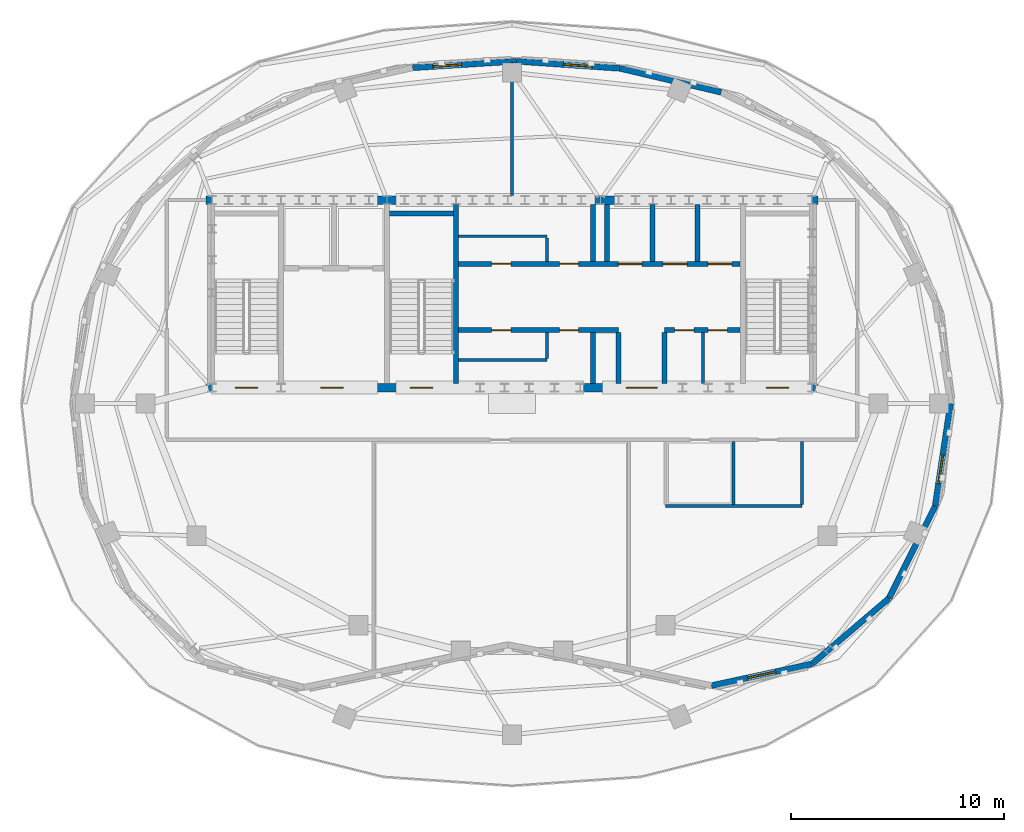
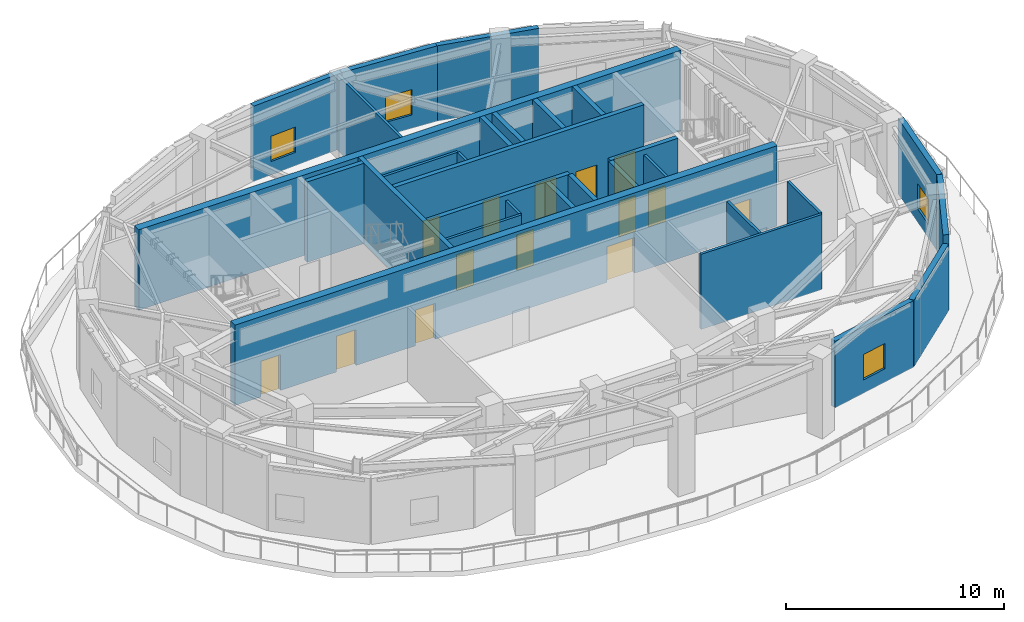
# One storey, part 4 of 8: 30 walls, 14 doors, 4 windows, 18 openings.
"""IFC4 building model written with IfcOpenShell, lengths in metres."""

from ifc_helpers import new_model, si_unit, direction, frame, frame_2d, origin, place, context, subcontext, project, spatial, rectangle, extrude, material, layer, layer_set, type_object, element, fill, save


model = new_model("IFC4")

# Units and contexts
model_context = context("Model", 3, precision=1e-05, world=origin(), true_north=direction((0.0, 1.0)))
body_context = subcontext(model_context, "Body", "Model", "MODEL_VIEW")
ifc_project = project(units=[si_unit("LENGTHUNIT", "METRE"), si_unit("AREAUNIT", "SQUARE_METRE"), si_unit("VOLUMEUNIT", "CUBIC_METRE"), si_unit("PLANEANGLEUNIT", "RADIAN"), si_unit("MASSUNIT", "GRAM", prefix="KILO")], contexts=[model_context])

# Site, building, storey
site_placement = place(None, origin())
site = spatial("IfcSite", under=ifc_project, at=site_placement, CompositionType="ELEMENT")
building_placement = place(site_placement, origin())
building = spatial("IfcBuilding", under=site, at=building_placement, Name="Haldorwick Loom Tower", CompositionType="ELEMENT")
storey_placement = place(building_placement, frame((0.0, 0.0, 291.5)))
storey = spatial("IfcBuildingStorey", under=building, at=storey_placement, Name="L78", CompositionType="ELEMENT", Elevation=291.5)

# Wall
ifc_material_1 = material(Name="Pressed Clay Face Brick and Insulated Masonry Backup Assembly", Category="masonry")
ifc_layer_1 = layer(ifc_material_1, 0.280029296875, Name="Pressed Clay Face Brick and Insulated Masonry Backup Assembly", Category="masonry")
ifc_layer_set_1 = layer_set([ifc_layer_1], Name="Pressed Clay Face Brick and Insulated Masonry Backup Assembly")
wall_type_1 = type_object("IfcWallType", Name="ARC-WL-EXT280", PredefinedType="STANDARD", material=ifc_layer_set_1)
wall_1_placement = place(storey_placement, frame((45.8125, 40.605224609375, 0.0), z_axis=(0.0, 0.0, 1.0), x_axis=(-0.97316178331, 0.230122018733, 0.0)))
element("IfcWall", 1, at=wall_1_placement, inside=storey, type_object=wall_type_1, Name="L78 Brick Pier and Spandrel Wall 5", PredefinedType="STANDARD", context=body_context, shape_type="SweptSolid", body=[
    extrude(rectangle(XDim=4.8759765625, YDim=0.280029296875, at=frame_2d((2.43798828125, 0.0))), origin(), (0.0, 0.0, 1.0), 4.219970703125),
])

# Wall, opening, window
wall_2_placement = place(storey_placement, frame((41.0673828125, 41.727294921875, 0.0), z_axis=(0.0, 0.0, 1.0), x_axis=(-0.997662097595, 0.068339878718, 0.0)))
wall_2 = element("IfcWall", 2, at=wall_2_placement, inside=storey, type_object=wall_type_1, Name="L78 Brick Pier and Spandrel Wall 6", PredefinedType="STANDARD", context=body_context, shape_type="SweptSolid", body=[
    extrude(rectangle(XDim=4.87646484375, YDim=0.280029296875, at=frame_2d((2.438232421875, 0.0))), origin(), (0.0, 0.0, 1.0), 4.219970703125),
])
opening_1_placement = place(wall_2_placement, frame((1.30908203125, 0.0, 0.75)))
opening_1 = element("IfcOpeningElement", 3, at=opening_1_placement, cuts=wall_2, Name="Opening W-02B", PredefinedType="OPENING", context=body_context, shape_type="SweptSolid", body=[
    extrude(rectangle(XDim=1.35009765625, YDim=1.419921875, at=frame_2d((0.675048828125, 0.7099609375))), frame((0.0, 0.14990234375, 0.0), z_axis=(0.0, -1.0, 0.0), x_axis=(1.0, 0.0, 0.0)), (0.0, 0.0, 1.0), 0.300048828125),
])
ifc_material_2 = material(Name="Triple-Glazed Low-E Argon Insulated Glazing Unit", Category="glass")
window_type = type_object("IfcWindowType", Name="ARC-WIN-W135", PartitioningType="SINGLE_PANEL", PredefinedType="WINDOW", material=ifc_material_2)
window_1_placement = place(opening_1_placement, origin())
window_1 = element("IfcWindow", 4, at=window_1_placement, inside=storey, type_object=window_type, Name="L78 Deep-Set Zone 7A Window 6", OverallHeight=1.419921875, OverallWidth=1.35009765625, PartitioningType="SINGLE_PANEL", PredefinedType="WINDOW", context=body_context, shape_type="SweptSolid", body=[
    extrude(rectangle(XDim=1.35009765625, YDim=1.419921875, at=frame_2d((0.675048828125, 0.7099609375))), frame((0.0, 0.030029296875, 0.0), z_axis=(0.0, -1.0, 0.0), x_axis=(1.0, 0.0, 0.0)), (0.0, 0.0, 1.0), 0.06005859375),
])
fill(opening_1, window_1)

wall_3_placement = place(storey_placement, frame((36.202392578125, 42.060546875, 0.0), z_axis=(0.0, 0.0, 1.0), x_axis=(-0.998025393364, -0.062811736175, 0.0)))
wall_3 = element("IfcWall", 5, at=wall_3_placement, inside=storey, type_object=wall_type_1, Name="L78 Brick Pier and Spandrel Wall 7", PredefinedType="STANDARD", context=body_context, shape_type="SweptSolid", body=[
    extrude(rectangle(XDim=4.8740234375, YDim=0.280029296875, at=frame_2d((2.43701171875, 0.0))), origin(), (0.0, 0.0, 1.0), 4.219970703125),
])
opening_2_placement = place(wall_3_placement, frame((2.5791015625, 0.0, 0.75)))
opening_2 = element("IfcOpeningElement", 6, at=opening_2_placement, cuts=wall_3, Name="Opening W-02B", PredefinedType="OPENING", context=body_context, shape_type="SweptSolid", body=[
    extrude(rectangle(XDim=1.35009765625, YDim=1.419921875, at=frame_2d((0.675048828125, 0.7099609375))), frame((0.0, 0.14990234375, 0.0), z_axis=(0.0, -1.0, 0.0), x_axis=(1.0, 0.0, 0.0)), (0.0, 0.0, 1.0), 0.300048828125),
])
window_2_placement = place(opening_2_placement, origin())
window_2 = element("IfcWindow", 7, at=window_2_placement, inside=storey, type_object=window_type, Name="L78 Deep-Set Zone 7A Window 7", OverallHeight=1.419921875, OverallWidth=1.35009765625, PartitioningType="SINGLE_PANEL", PredefinedType="WINDOW", context=body_context, shape_type="SweptSolid", body=[
    extrude(rectangle(XDim=1.35009765625, YDim=1.419921875, at=frame_2d((0.675048828125, 0.7099609375))), frame((0.0, 0.030029296875, 0.0), z_axis=(0.0, -1.0, 0.0), x_axis=(1.0, 0.0, 0.0)), (0.0, 0.0, 1.0), 0.06005859375),
])
fill(opening_2, window_2)

wall_4_placement = place(storey_placement, frame((45.35546875, 12.768310546875, 0.0), z_axis=(0.0, 0.0, 1.0), x_axis=(0.977592356018, 0.210506972464, 0.0)))
wall_4 = element("IfcWall", 8, at=wall_4_placement, inside=storey, type_object=wall_type_1, Name="L78 Brick Pier and Spandrel Wall 21", PredefinedType="STANDARD", context=body_context, shape_type="SweptSolid", body=[
    extrude(rectangle(XDim=4.82470703125, YDim=0.280029296875, at=frame_2d((2.412353515625, 0.0))), origin(), (0.0, 0.0, 1.0), 3.72900390625),
])
opening_3_placement = place(wall_4_placement, frame((1.7373046875, 0.0, 0.75)))
opening_3 = element("IfcOpeningElement", 9, at=opening_3_placement, cuts=wall_4, Name="Opening W-02B", PredefinedType="OPENING", context=body_context, shape_type="SweptSolid", body=[
    extrude(rectangle(XDim=1.35009765625, YDim=1.419921875, at=frame_2d((0.675048828125, 0.7099609375))), frame((0.0, 0.14990234375, 0.0), z_axis=(0.0, -1.0, 0.0), x_axis=(1.0, 0.0, 0.0)), (0.0, 0.0, 1.0), 0.300048828125),
])
window_3_placement = place(opening_3_placement, origin())
window_3 = element("IfcWindow", 10, at=window_3_placement, inside=storey, type_object=window_type, Name="L78 Deep-Set Zone 7A Window 21", OverallHeight=1.419921875, OverallWidth=1.35009765625, PartitioningType="SINGLE_PANEL", PredefinedType="WINDOW", context=body_context, shape_type="SweptSolid", body=[
    extrude(rectangle(XDim=1.35009765625, YDim=1.419921875, at=frame_2d((0.675048828125, 0.7099609375))), frame((0.0, 0.030029296875, 0.0), z_axis=(0.0, -1.0, 0.0), x_axis=(1.0, 0.0, 0.0)), (0.0, 0.0, 1.0), 0.06005859375),
])
fill(opening_3, window_3)

# Walls
wall_5_placement = place(storey_placement, frame((50.072021484375, 13.783935546875, 0.0), z_axis=(0.0, 0.0, 1.0), x_axis=(0.760839923418, 0.648939604996, 0.0)))
element("IfcWall", 11, at=wall_5_placement, inside=storey, type_object=wall_type_1, Name="L78 Brick Pier and Spandrel Wall 22", PredefinedType="STANDARD", context=body_context, shape_type="SweptSolid", body=[
    extrude(rectangle(XDim=4.749755859375, YDim=0.280029296875, at=frame_2d((2.375, 0.0))), origin(), (0.0, 0.0, 1.0), 3.72900390625),
])
wall_6_placement = place(storey_placement, frame((53.685791015625, 16.8662109375, 0.0), z_axis=(0.0, 0.0, 1.0), x_axis=(0.448041427235, 0.894012796039, 0.0)))
element("IfcWall", 12, at=wall_6_placement, inside=storey, type_object=wall_type_1, Name="L78 Brick Pier and Spandrel Wall 23", PredefinedType="STANDARD", context=body_context, shape_type="SweptSolid", body=[
    extrude(rectangle(XDim=4.83544921875, YDim=0.280029296875, at=frame_2d((2.417724609375, 0.0))), origin(), (0.0, 0.0, 1.0), 4.219970703125),
])

# Wall, opening, window
wall_7_placement = place(storey_placement, frame((55.852294921875, 21.189208984375, 0.0), z_axis=(0.0, 0.0, 1.0), x_axis=(0.148254556499, 0.988949233519, 0.0)))
wall_7 = element("IfcWall", 13, at=wall_7_placement, inside=storey, type_object=wall_type_1, Name="L78 Brick Pier and Spandrel Wall 24", PredefinedType="STANDARD", context=body_context, shape_type="SweptSolid", body=[
    extrude(rectangle(XDim=4.864501953125, YDim=0.280029296875, at=frame_2d((2.43212890625, 0.0))), origin(), (0.0, 0.0, 1.0), 4.219970703125),
])
opening_4_placement = place(wall_7_placement, frame((1.063720703125, 0.0, 0.75)))
opening_4 = element("IfcOpeningElement", 14, at=opening_4_placement, cuts=wall_7, Name="Opening W-02B", PredefinedType="OPENING", context=body_context, shape_type="SweptSolid", body=[
    extrude(rectangle(XDim=1.35009765625, YDim=1.419921875, at=frame_2d((0.675048828125, 0.7099609375))), frame((0.0, 0.14990234375, 0.0), z_axis=(0.0, -1.0, 0.0), x_axis=(1.0, 0.0, 0.0)), (0.0, 0.0, 1.0), 0.300048828125),
])
window_4_placement = place(opening_4_placement, origin())
window_4 = element("IfcWindow", 15, at=window_4_placement, inside=storey, type_object=window_type, Name="L78 Deep-Set Zone 7A Window 24", OverallHeight=1.419921875, OverallWidth=1.35009765625, PartitioningType="SINGLE_PANEL", PredefinedType="WINDOW", context=body_context, shape_type="SweptSolid", body=[
    extrude(rectangle(XDim=1.35009765625, YDim=1.419921875, at=frame_2d((0.675048828125, 0.7099609375))), frame((0.0, 0.030029296875, 0.0), z_axis=(0.0, -1.0, 0.0), x_axis=(1.0, 0.0, 0.0)), (0.0, 0.0, 1.0), 0.06005859375),
])
fill(opening_4, window_4)

# Walls
ifc_material_3 = material(Name="Fire-Rated Type X Gypsum Stud Assembly EI 60")
ifc_layer_2 = layer(ifc_material_3, 0.139892578125, Name="Fire-Rated Type X Gypsum Stud Assembly EI 60")
ifc_layer_set_2 = layer_set([ifc_layer_2], Name="Fire-Rated Type X Gypsum Stud Assembly EI 60")
wall_type_2 = type_object("IfcWallType", Name="ARC-WL-PART140", PredefinedType="PARTITIONING", material=ifc_layer_set_2)
wall_8_placement = place(storey_placement, frame((33.492919921875, 33.85009765625, 0.0), z_axis=(0.0, 0.0, 1.0), x_axis=(1.0, 0.0, 0.0)))
element("IfcWall", 16, at=wall_8_placement, inside=storey, type_object=wall_type_2, Name="L78 Storage South Partition", PredefinedType="PARTITIONING", context=body_context, shape_type="SweptSolid", body=[
    extrude(rectangle(XDim=4.156982421875, YDim=0.139892578125, at=frame_2d((2.07861328125, 0.0))), origin(), (0.0, 0.0, 1.0), 4.205078125),
])
wall_9_placement = place(storey_placement, frame((37.64990234375, 32.673095703125, 0.0), z_axis=(0.0, 0.0, 1.0), x_axis=(0.0, 1.0, 0.0)))
element("IfcWall", 17, at=wall_9_placement, inside=storey, type_object=wall_type_2, Name="L78 Storage East Partition", PredefinedType="PARTITIONING", context=body_context, shape_type="SweptSolid", body=[
    extrude(rectangle(XDim=1.10400390625, YDim=0.139892578125, at=frame_2d((0.552001953125, 0.0))), origin(), (0.0, 0.0, 1.0), 4.205078125),
])
wall_10_placement = place(storey_placement, frame((33.492919921875, 28.050048828125, 0.0), z_axis=(0.0, 0.0, 1.0), x_axis=(1.0, 0.0, 0.0)))
element("IfcWall", 18, at=wall_10_placement, inside=storey, type_object=wall_type_2, Name="L78 Mid-Bank North Partition", PredefinedType="PARTITIONING", context=body_context, shape_type="SweptSolid", body=[
    extrude(rectangle(XDim=4.156982421875, YDim=0.139892578125, at=frame_2d((2.07861328125, 0.0))), origin(), (0.0, 0.0, 1.0), 4.205078125),
])
wall_11_placement = place(storey_placement, frame((37.64990234375, 28.123046875, 0.0), z_axis=(0.0, 0.0, 1.0), x_axis=(0.0, 1.0, 0.0)))
element("IfcWall", 19, at=wall_11_placement, inside=storey, type_object=wall_type_2, Name="L78 Mid-Bank East Partition", PredefinedType="PARTITIONING", context=body_context, shape_type="SweptSolid", body=[
    extrude(rectangle(XDim=1.203857421875, YDim=0.139892578125, at=frame_2d((0.60205078125, 0.0))), origin(), (0.0, 0.0, 1.0), 4.205078125),
])
wall_12_placement = place(storey_placement, frame((44.949951171875, 26.952880859375, 0.0), z_axis=(0.0, 0.0, 1.0), x_axis=(0.0, 1.0, 0.0)))
element("IfcWall", 20, at=wall_12_placement, inside=storey, type_object=wall_type_2, Name="L78 Service Partition", PredefinedType="PARTITIONING", context=body_context, shape_type="SweptSolid", body=[
    extrude(rectangle(XDim=2.3740234375, YDim=0.139892578125, at=frame_2d((1.18701171875, 0.0))), origin(), (0.0, 0.0, 1.0), 4.205078125),
])
wall_13_placement = place(storey_placement, frame((43.199951171875, 21.199951171875, 0.0), z_axis=(0.0, 0.0, 1.0), x_axis=(1.0, 0.0, 0.0)))
element("IfcWall", 21, at=wall_13_placement, inside=storey, type_object=wall_type_2, Name="L78 Interior Partition L78-WC1", PredefinedType="PARTITIONING", context=body_context, shape_type="SweptSolid", body=[
    extrude(rectangle(XDim=6.400146484375, YDim=0.139892578125, at=frame_2d((3.2001953125, 0.0))), origin(), (0.0, 0.0, 1.0), 4.205078125),
])
for number, where, z_axis, x_axis, name in (
    (22, (46.39990234375, 21.27294921875, 0.0), (0.0, 0.0, 1.0), (0.0, 1.0, 0.0), "L78 Interior Partition L78-WC2"),
    (23, (49.60009765625, 21.27294921875, 0.0), (0.0, 0.0, 1.0), (0.0, 1.0, 0.0), "L78 Interior Partition L78-WC4"),
):
    element("IfcWall", number, at=place(storey_placement, frame(where, z_axis=z_axis, x_axis=x_axis)), inside=storey, type_object=wall_type_2, Name=name, PredefinedType="PARTITIONING", context=body_context, shape_type="SweptSolid", body=[
        extrude(rectangle(XDim=2.944091796875, YDim=0.139892578125, at=frame_2d((1.47216796875, 0.0))), origin(), (0.0, 0.0, 1.0), 4.205078125),
    ])
wall_14_placement = place(storey_placement, frame((36.0, 35.7529296875, 0.0), z_axis=(0.0, 0.0, 1.0), x_axis=(0.0, 1.0, 0.0)))
element("IfcWall", 24, at=wall_14_placement, inside=storey, type_object=wall_type_2, Name="L78 Interior Partition L78-N-0", PredefinedType="PARTITIONING", context=body_context, shape_type="SweptSolid", body=[
    extrude(rectangle(XDim=6.249755859375, YDim=0.139892578125, at=frame_2d((3.125, 0.0))), origin(), (0.0, 0.0, 1.0), 4.205078125),
])

# Wall, openings, doors
ifc_material_4 = material(Name="Concrete C50 (50 MPa)", Category="concrete")
ifc_layer_3 = layer(ifc_material_4, 0.39990234375, Name="Concrete C50 (50 MPa)", Category="concrete")
ifc_layer_set_3 = layer_set([ifc_layer_3], Name="Concrete C50 (50 MPa)")
wall_type_3 = type_object("IfcWallType", Name="STR-WL-CORE400", PredefinedType="SHEAR", material=ifc_layer_set_3)
wall_15_placement = place(storey_placement, frame((21.64990234375, 26.75, 0.0), z_axis=(0.0, 0.0, 1.0), x_axis=(1.0, 0.0, 0.0)))
wall_15 = element("IfcWall", 25, at=wall_15_placement, inside=storey, type_object=wall_type_3, Name="L78 Core Shear Wall S", PredefinedType="SHEAR", context=body_context, shape_type="SweptSolid", body=[
    extrude(rectangle(XDim=28.7001953125, YDim=0.39990234375, at=frame_2d((14.35009765625, 0.0))), origin(), (0.0, 0.0, 1.0), 4.5),
])
opening_5_placement = place(wall_15_placement, frame((1.375, 0.0, 0.0)))
opening_5 = element("IfcOpeningElement", 26, at=opening_5_placement, cuts=wall_15, Name="Opening D-FD60", PredefinedType="OPENING", context=body_context, shape_type="SweptSolid", body=[
    extrude(rectangle(XDim=1.050048828125, YDim=2.0, at=frame_2d((0.52490234375, 1.0))), frame((0.0, 0.2099609375, 0.0), z_axis=(0.0, -1.0, 0.0), x_axis=(1.0, 0.0, 0.0)), (0.0, 0.0, 1.0), 0.419921875),
])
opening_6_placement = place(wall_15_placement, frame((5.375, 0.0, 0.0)))
opening_6 = element("IfcOpeningElement", 27, at=opening_6_placement, cuts=wall_15, Name="Opening D-FD60", PredefinedType="OPENING", context=body_context, shape_type="SweptSolid", body=[
    extrude(rectangle(XDim=1.050048828125, YDim=2.0, at=frame_2d((0.52490234375, 1.0))), frame((0.0, 0.2099609375, 0.0), z_axis=(0.0, -1.0, 0.0), x_axis=(1.0, 0.0, 0.0)), (0.0, 0.0, 1.0), 0.419921875),
])
opening_7_placement = place(wall_15_placement, frame((9.574951171875, 0.0, 0.0)))
opening_7 = element("IfcOpeningElement", 28, at=opening_7_placement, cuts=wall_15, Name="Opening D-FD60", PredefinedType="OPENING", context=body_context, shape_type="SweptSolid", body=[
    extrude(rectangle(XDim=1.050048828125, YDim=2.0, at=frame_2d((0.52490234375, 1.0))), frame((0.0, 0.2099609375, 0.0), z_axis=(0.0, -1.0, 0.0), x_axis=(1.0, 0.0, 0.0)), (0.0, 0.0, 1.0), 0.419921875),
])
opening_8_placement = place(wall_15_placement, frame((19.705078125, 0.0, 0.0)))
opening_8 = element("IfcOpeningElement", 29, at=opening_8_placement, cuts=wall_15, Name="Opening D-LB15", PredefinedType="OPENING", context=body_context, shape_type="SweptSolid", body=[
    extrude(rectangle(XDim=1.449951171875, YDim=2.0, at=frame_2d((0.72509765625, 1.0))), frame((0.0, 0.2099609375, 0.0), z_axis=(0.0, -1.0, 0.0), x_axis=(1.0, 0.0, 0.0)), (0.0, 0.0, 1.0), 0.419921875),
])
opening_9_placement = place(wall_15_placement, frame((26.27490234375, 0.0, 0.0)))
opening_9 = element("IfcOpeningElement", 30, at=opening_9_placement, cuts=wall_15, Name="Opening D-FD60", PredefinedType="OPENING", context=body_context, shape_type="SweptSolid", body=[
    extrude(rectangle(XDim=1.050048828125, YDim=2.0, at=frame_2d((0.52490234375, 1.0))), frame((0.0, 0.2099609375, 0.0), z_axis=(0.0, -1.0, 0.0), x_axis=(1.0, 0.0, 0.0)), (0.0, 0.0, 1.0), 0.419921875),
])
ifc_material_5 = material(Name="Hollow Steel Fire Door Assembly", Category="steel")
door_type_1 = type_object("IfcDoorType", Name="ARC-DR-FD60", OperationType="NOTDEFINED", PredefinedType="DOOR", material=ifc_material_5)
door_1_placement = place(opening_5_placement, origin())
door_1 = element("IfcDoor", 31, at=door_1_placement, inside=storey, type_object=door_type_1, Name="L78 Exit Stair ST-01 Fire Door", OperationType="SINGLE_SWING_RIGHT", OverallHeight=2.0, OverallWidth=1.050048828125, PredefinedType="DOOR", context=body_context, shape_type="SweptSolid", body=[
    extrude(rectangle(XDim=1.050048828125, YDim=2.0, at=frame_2d((0.52490234375, 1.0))), frame((0.0, 0.02490234375, 0.0), z_axis=(0.0, -1.0, 0.0), x_axis=(1.0, 0.0, 0.0)), (0.0, 0.0, 1.0), 0.050048828125),
])
fill(opening_5, door_1)
door_2_placement = place(opening_6_placement, origin())
door_2 = element("IfcDoor", 32, at=door_2_placement, inside=storey, type_object=door_type_1, Name="L78 Firefighting Lift Lobby Fire Door", OperationType="SINGLE_SWING_LEFT", OverallHeight=2.0, OverallWidth=1.050048828125, PredefinedType="DOOR", context=body_context, shape_type="SweptSolid", body=[
    extrude(rectangle(XDim=1.050048828125, YDim=2.0, at=frame_2d((0.52490234375, 1.0))), frame((0.0, 0.02490234375, 0.0), z_axis=(0.0, -1.0, 0.0), x_axis=(1.0, 0.0, 0.0)), (0.0, 0.0, 1.0), 0.050048828125),
])
fill(opening_6, door_2)
door_3_placement = place(opening_7_placement, origin())
door_3 = element("IfcDoor", 33, at=door_3_placement, inside=storey, type_object=door_type_1, Name="L78 Exit Stair ST-03 Fire Door", OperationType="SINGLE_SWING_LEFT", OverallHeight=2.0, OverallWidth=1.050048828125, PredefinedType="DOOR", context=body_context, shape_type="SweptSolid", body=[
    extrude(rectangle(XDim=1.050048828125, YDim=2.0, at=frame_2d((0.52490234375, 1.0))), frame((0.0, 0.02490234375, 0.0), z_axis=(0.0, -1.0, 0.0), x_axis=(1.0, 0.0, 0.0)), (0.0, 0.0, 1.0), 0.050048828125),
])
fill(opening_7, door_3)
door_4_placement = place(opening_9_placement, origin())
door_4 = element("IfcDoor", 34, at=door_4_placement, inside=storey, type_object=door_type_1, Name="L78 Exit Stair ST-02 Fire Door", OperationType="SINGLE_SWING_LEFT", OverallHeight=2.0, OverallWidth=1.050048828125, PredefinedType="DOOR", context=body_context, shape_type="SweptSolid", body=[
    extrude(rectangle(XDim=1.050048828125, YDim=2.0, at=frame_2d((0.52490234375, 1.0))), frame((0.0, 0.02490234375, 0.0), z_axis=(0.0, -1.0, 0.0), x_axis=(1.0, 0.0, 0.0)), (0.0, 0.0, 1.0), 0.050048828125),
])
fill(opening_9, door_4)
ifc_material_6 = material(Name="Thermally Broken Anodized Aluminium and Tempered Glass", Category="aluminium")
door_type_2 = type_object("IfcDoorType", Name="ARC-DR-LOB150", OperationType="NOTDEFINED", PredefinedType="DOOR", material=ifc_material_6)
door_5_placement = place(opening_8_placement, frame((1.449951171875, 0.0, 0.0), z_axis=(0.0, 0.0, 1.0), x_axis=(-1.0, 0.0, 0.0)))
door_5 = element("IfcDoor", 35, at=door_5_placement, inside=storey, type_object=door_type_2, Name="L78 Passenger Lift Lobby Fire Door", OperationType="DOUBLE_DOOR_SINGLE_SWING", OverallHeight=2.0, OverallWidth=1.449951171875, PredefinedType="DOOR", context=body_context, shape_type="SweptSolid", body=[
    extrude(rectangle(XDim=1.449951171875, YDim=2.0, at=frame_2d((0.72509765625, 1.0))), frame((0.0, 0.02490234375, 0.0), z_axis=(0.0, -1.0, 0.0), x_axis=(1.0, 0.0, 0.0)), (0.0, 0.0, 1.0), 0.050048828125),
])
fill(opening_8, door_5)

# Walls
wall_16_placement = place(storey_placement, frame((50.35009765625, 35.550048828125, 0.0), z_axis=(0.0, 0.0, 1.0), x_axis=(-1.0, 0.0, 0.0)))
element("IfcWall", 36, at=wall_16_placement, inside=storey, type_object=wall_type_3, Name="L78 Core Shear Wall N", PredefinedType="SHEAR", context=body_context, shape_type="SweptSolid", body=[
    extrude(rectangle(XDim=28.7001953125, YDim=0.39990234375, at=frame_2d((14.35009765625, 0.0))), origin(), (0.0, 0.0, 1.0), 4.5),
])
ifc_layer_4 = layer(ifc_material_4, 0.239990234375, Name="Concrete C50 (50 MPa)", Category="concrete")
ifc_layer_set_4 = layer_set([ifc_layer_4], Name="Concrete C50 (50 MPa)")
wall_type_4 = type_object("IfcWallType", Name="STR-WL-SHAFT240", PredefinedType="SHEAR", material=ifc_layer_set_4)
wall_17_placement = place(storey_placement, frame((33.3701171875, 26.952880859375, 0.0), z_axis=(0.0, 0.0, 1.0), x_axis=(0.0, 1.0, 0.0)))
element("IfcWall", 37, at=wall_17_placement, inside=storey, type_object=wall_type_4, Name="L78 Core Shear Wall 3", PredefinedType="SHEAR", context=body_context, shape_type="SweptSolid", body=[
    extrude(rectangle(XDim=8.39404296875, YDim=0.239990234375, at=frame_2d((4.197021484375, 0.0))), origin(), (0.0, 0.0, 1.0), 4.5),
])
wall_18_placement = place(storey_placement, frame((30.2529296875, 34.919921875, 0.0), z_axis=(0.0, 0.0, 1.0), x_axis=(1.0, 0.0, 0.0)))
element("IfcWall", 38, at=wall_18_placement, inside=storey, type_object=wall_type_4, Name="L78 Core Shear Wall 3N", PredefinedType="SHEAR", context=body_context, shape_type="SweptSolid", body=[
    extrude(rectangle(XDim=2.994140625, YDim=0.239990234375, at=frame_2d((1.4970703125, 0.0))), origin(), (0.0, 0.0, 1.0), 4.5),
])

# Wall, openings, doors
wall_19_placement = place(storey_placement, frame((33.492919921875, 32.550048828125, 0.0), z_axis=(0.0, 0.0, 1.0), x_axis=(1.0, 0.0, 0.0)))
wall_19 = element("IfcWall", 39, at=wall_19_placement, inside=storey, type_object=wall_type_4, Name="L78 Core Shear Wall LN", PredefinedType="SHEAR", context=body_context, shape_type="SweptSolid", body=[
    extrude(rectangle(XDim=13.214111328125, YDim=0.239990234375, at=frame_2d((6.60693359375, 0.0))), origin(), (0.0, 0.0, 1.0), 4.5),
])
opening_10_placement = place(wall_19_placement, frame((1.556884765625, 0.0, 0.0)))
opening_10 = element("IfcOpeningElement", 40, at=opening_10_placement, cuts=wall_19, Name="Opening D-FD60A", PredefinedType="OPENING", context=body_context, shape_type="SweptSolid", body=[
    extrude(rectangle(XDim=0.89990234375, YDim=2.0, at=frame_2d((0.449951171875, 1.0))), frame((0.0, 0.1298828125, 0.0), z_axis=(0.0, -1.0, 0.0), x_axis=(1.0, 0.0, 0.0)), (0.0, 0.0, 1.0), 0.260009765625),
])
opening_11_placement = place(wall_19_placement, frame((4.737060546875, 0.0, 0.0)))
opening_11 = element("IfcOpeningElement", 41, at=opening_11_placement, cuts=wall_19, Name="Opening D-FD60A", PredefinedType="OPENING", context=body_context, shape_type="SweptSolid", body=[
    extrude(rectangle(XDim=0.89990234375, YDim=2.0, at=frame_2d((0.449951171875, 1.0))), frame((0.0, 0.1298828125, 0.0), z_axis=(0.0, -1.0, 0.0), x_axis=(1.0, 0.0, 0.0)), (0.0, 0.0, 1.0), 0.260009765625),
])
opening_12_placement = place(wall_19_placement, frame((7.4970703125, 0.0, 0.0)))
opening_12 = element("IfcOpeningElement", 42, at=opening_12_placement, cuts=wall_19, Name="Opening LD-H1", PredefinedType="OPENING", context=body_context, shape_type="SweptSolid", body=[
    extrude(rectangle(XDim=1.1201171875, YDim=2.0, at=frame_2d((0.56005859375, 1.0))), frame((0.0, 0.1298828125, 0.0), z_axis=(0.0, -1.0, 0.0), x_axis=(1.0, 0.0, 0.0)), (0.0, 0.0, 1.0), 0.260009765625),
])
opening_13_placement = place(wall_19_placement, frame((9.596923828125, 0.0, 0.0)))
opening_13 = element("IfcOpeningElement", 43, at=opening_13_placement, cuts=wall_19, Name="Opening LD-H2", PredefinedType="OPENING", context=body_context, shape_type="SweptSolid", body=[
    extrude(rectangle(XDim=1.1201171875, YDim=2.0, at=frame_2d((0.56005859375, 1.0))), frame((0.0, 0.1298828125, 0.0), z_axis=(0.0, -1.0, 0.0), x_axis=(1.0, 0.0, 0.0)), (0.0, 0.0, 1.0), 0.260009765625),
])
opening_14_placement = place(wall_19_placement, frame((11.697021484375, 0.0, 0.0)))
opening_14 = element("IfcOpeningElement", 44, at=opening_14_placement, cuts=wall_19, Name="Opening LD-H3", PredefinedType="OPENING", context=body_context, shape_type="SweptSolid", body=[
    extrude(rectangle(XDim=1.1201171875, YDim=2.0, at=frame_2d((0.56005859375, 1.0))), frame((0.0, 0.1298828125, 0.0), z_axis=(0.0, -1.0, 0.0), x_axis=(1.0, 0.0, 0.0)), (0.0, 0.0, 1.0), 0.260009765625),
])
door_type_3 = type_object("IfcDoorType", Name="ARC-DR-FD60-90", OperationType="NOTDEFINED", PredefinedType="DOOR", material=ifc_material_5)
door_6_placement = place(opening_10_placement, frame((0.89990234375, 0.0, 0.0), z_axis=(0.0, 0.0, 1.0), x_axis=(-1.0, 0.0, 0.0)))
door_6 = element("IfcDoor", 45, at=door_6_placement, inside=storey, type_object=door_type_3, Name="L78 Resident Storage Door", OperationType="SINGLE_SWING_LEFT", OverallHeight=2.0, OverallWidth=0.89990234375, PredefinedType="DOOR", context=body_context, shape_type="SweptSolid", body=[
    extrude(rectangle(XDim=0.89990234375, YDim=2.0, at=frame_2d((0.449951171875, 1.0))), frame((0.0, 0.02490234375, 0.0), z_axis=(0.0, -1.0, 0.0), x_axis=(1.0, 0.0, 0.0)), (0.0, 0.0, 1.0), 0.050048828125),
])
fill(opening_10, door_6)
door_7_placement = place(opening_11_placement, frame((0.89990234375, 0.0, 0.0), z_axis=(0.0, 0.0, 1.0), x_axis=(-1.0, 0.0, 0.0)))
door_7 = element("IfcDoor", 46, at=door_7_placement, inside=storey, type_object=door_type_3, Name="L78 Laundry Door", OperationType="SINGLE_SWING_RIGHT", OverallHeight=2.0, OverallWidth=0.89990234375, PredefinedType="DOOR", context=body_context, shape_type="SweptSolid", body=[
    extrude(rectangle(XDim=0.89990234375, YDim=2.0, at=frame_2d((0.449951171875, 1.0))), frame((0.0, 0.02490234375, 0.0), z_axis=(0.0, -1.0, 0.0), x_axis=(1.0, 0.0, 0.0)), (0.0, 0.0, 1.0), 0.050048828125),
])
fill(opening_11, door_7)
door_type_4 = type_object("IfcDoorType", Name="ARC-DR-LD-PAX", OperationType="NOTDEFINED", PredefinedType="USERDEFINED", material=ifc_material_5)
door_8_placement = place(opening_12_placement, origin())
door_8 = element("IfcDoor", 47, at=door_8_placement, inside=storey, type_object=door_type_4, Name="L78 Lift LF-H1 Sliding Landing Door", ObjectType="LANDING DOOR", OperationType="DOUBLE_DOOR_SLIDING", OverallHeight=2.0, OverallWidth=1.1201171875, PredefinedType="USERDEFINED", context=body_context, shape_type="SweptSolid", body=[
    extrude(rectangle(XDim=1.1201171875, YDim=2.0, at=frame_2d((0.56005859375, 1.0))), frame((0.0, 0.02490234375, 0.0), z_axis=(0.0, -1.0, 0.0), x_axis=(1.0, 0.0, 0.0)), (0.0, 0.0, 1.0), 0.050048828125),
])
fill(opening_12, door_8)
door_9_placement = place(opening_13_placement, origin())
door_9 = element("IfcDoor", 48, at=door_9_placement, inside=storey, type_object=door_type_4, Name="L78 Lift LF-H2 Sliding Landing Door", ObjectType="LANDING DOOR", OperationType="DOUBLE_DOOR_SLIDING", OverallHeight=2.0, OverallWidth=1.1201171875, PredefinedType="USERDEFINED", context=body_context, shape_type="SweptSolid", body=[
    extrude(rectangle(XDim=1.1201171875, YDim=2.0, at=frame_2d((0.56005859375, 1.0))), frame((0.0, 0.02490234375, 0.0), z_axis=(0.0, -1.0, 0.0), x_axis=(1.0, 0.0, 0.0)), (0.0, 0.0, 1.0), 0.050048828125),
])
fill(opening_13, door_9)
door_10_placement = place(opening_14_placement, origin())
door_10 = element("IfcDoor", 49, at=door_10_placement, inside=storey, type_object=door_type_4, Name="L78 Lift LF-H3 Sliding Landing Door", ObjectType="LANDING DOOR", OperationType="DOUBLE_DOOR_SLIDING", OverallHeight=2.0, OverallWidth=1.1201171875, PredefinedType="USERDEFINED", context=body_context, shape_type="SweptSolid", body=[
    extrude(rectangle(XDim=1.1201171875, YDim=2.0, at=frame_2d((0.56005859375, 1.0))), frame((0.0, 0.02490234375, 0.0), z_axis=(0.0, -1.0, 0.0), x_axis=(1.0, 0.0, 0.0)), (0.0, 0.0, 1.0), 0.050048828125),
])
fill(opening_14, door_10)

wall_20_placement = place(storey_placement, frame((33.492919921875, 29.449951171875, 0.0), z_axis=(0.0, 0.0, 1.0), x_axis=(1.0, 0.0, 0.0)))
wall_20 = element("IfcWall", 50, at=wall_20_placement, inside=storey, type_object=wall_type_4, Name="L78 Core Shear Wall LS1", PredefinedType="SHEAR", context=body_context, shape_type="SweptSolid", body=[
    extrude(rectangle(XDim=7.507080078125, YDim=0.239990234375, at=frame_2d((3.75341796875, 0.0))), origin(), (0.0, 0.0, 1.0), 4.5),
])
opening_15_placement = place(wall_20_placement, frame((1.556884765625, 0.0, 0.0)))
opening_15 = element("IfcOpeningElement", 51, at=opening_15_placement, cuts=wall_20, Name="Opening D-FD60A", PredefinedType="OPENING", context=body_context, shape_type="SweptSolid", body=[
    extrude(rectangle(XDim=0.89990234375, YDim=2.0, at=frame_2d((0.449951171875, 1.0))), frame((0.0, 0.1298828125, 0.0), z_axis=(0.0, -1.0, 0.0), x_axis=(1.0, 0.0, 0.0)), (0.0, 0.0, 1.0), 0.260009765625),
])
opening_16_placement = place(wall_20_placement, frame((4.737060546875, 0.0, 0.0)))
opening_16 = element("IfcOpeningElement", 52, at=opening_16_placement, cuts=wall_20, Name="Opening D-FD60A", PredefinedType="OPENING", context=body_context, shape_type="SweptSolid", body=[
    extrude(rectangle(XDim=0.89990234375, YDim=2.0, at=frame_2d((0.449951171875, 1.0))), frame((0.0, 0.1298828125, 0.0), z_axis=(0.0, -1.0, 0.0), x_axis=(1.0, 0.0, 0.0)), (0.0, 0.0, 1.0), 0.260009765625),
])
door_11_placement = place(opening_15_placement, origin())
door_11 = element("IfcDoor", 53, at=door_11_placement, inside=storey, type_object=door_type_3, Name="L78 Sky Storage Door", OperationType="SINGLE_SWING_LEFT", OverallHeight=2.0, OverallWidth=0.89990234375, PredefinedType="DOOR", context=body_context, shape_type="SweptSolid", body=[
    extrude(rectangle(XDim=0.89990234375, YDim=2.0, at=frame_2d((0.449951171875, 1.0))), frame((0.0, 0.02490234375, 0.0), z_axis=(0.0, -1.0, 0.0), x_axis=(1.0, 0.0, 0.0)), (0.0, 0.0, 1.0), 0.050048828125),
])
fill(opening_15, door_11)
door_12_placement = place(opening_16_placement, origin())
door_12 = element("IfcDoor", 54, at=door_12_placement, inside=storey, type_object=door_type_3, Name="L78 Communications Door", OperationType="SINGLE_SWING_RIGHT", OverallHeight=2.0, OverallWidth=0.89990234375, PredefinedType="DOOR", context=body_context, shape_type="SweptSolid", body=[
    extrude(rectangle(XDim=0.89990234375, YDim=2.0, at=frame_2d((0.449951171875, 1.0))), frame((0.0, 0.02490234375, 0.0), z_axis=(0.0, -1.0, 0.0), x_axis=(1.0, 0.0, 0.0)), (0.0, 0.0, 1.0), 0.050048828125),
])
fill(opening_16, door_12)

wall_21_placement = place(storey_placement, frame((43.14990234375, 29.449951171875, 0.0), z_axis=(0.0, 0.0, 1.0), x_axis=(1.0, 0.0, 0.0)))
wall_21 = element("IfcWall", 55, at=wall_21_placement, inside=storey, type_object=wall_type_4, Name="L78 Core Shear Wall LS2", PredefinedType="SHEAR", context=body_context, shape_type="SweptSolid", body=[
    extrude(rectangle(XDim=3.55712890625, YDim=0.239990234375, at=frame_2d((1.778564453125, 0.0))), origin(), (0.0, 0.0, 1.0), 4.5),
])
opening_17_placement = place(wall_21_placement, frame((0.47998046875, 0.0, 0.0)))
opening_17 = element("IfcOpeningElement", 56, at=opening_17_placement, cuts=wall_21, Name="Opening D-FD60A", PredefinedType="OPENING", context=body_context, shape_type="SweptSolid", body=[
    extrude(rectangle(XDim=0.89990234375, YDim=2.0, at=frame_2d((0.449951171875, 1.0))), frame((0.0, 0.1298828125, 0.0), z_axis=(0.0, -1.0, 0.0), x_axis=(1.0, 0.0, 0.0)), (0.0, 0.0, 1.0), 0.260009765625),
])
opening_18_placement = place(wall_21_placement, frame((2.050048828125, 0.0, 0.0)))
opening_18 = element("IfcOpeningElement", 57, at=opening_18_placement, cuts=wall_21, Name="Opening D-FD60A", PredefinedType="OPENING", context=body_context, shape_type="SweptSolid", body=[
    extrude(rectangle(XDim=0.89990234375, YDim=2.0, at=frame_2d((0.449951171875, 1.0))), frame((0.0, 0.1298828125, 0.0), z_axis=(0.0, -1.0, 0.0), x_axis=(1.0, 0.0, 0.0)), (0.0, 0.0, 1.0), 0.260009765625),
])
door_13_placement = place(opening_17_placement, origin())
door_13 = element("IfcDoor", 58, at=door_13_placement, inside=storey, type_object=door_type_3, Name="L78 Electrical Room Door", OperationType="SINGLE_SWING_LEFT", OverallHeight=2.0, OverallWidth=0.89990234375, PredefinedType="DOOR", context=body_context, shape_type="SweptSolid", body=[
    extrude(rectangle(XDim=0.89990234375, YDim=2.0, at=frame_2d((0.449951171875, 1.0))), frame((0.0, 0.02490234375, 0.0), z_axis=(0.0, -1.0, 0.0), x_axis=(1.0, 0.0, 0.0)), (0.0, 0.0, 1.0), 0.050048828125),
])
fill(opening_17, door_13)
door_14_placement = place(opening_18_placement, origin())
door_14 = element("IfcDoor", 59, at=door_14_placement, inside=storey, type_object=door_type_3, Name="L78 Cleaner's Store Door", OperationType="SINGLE_SWING_LEFT", OverallHeight=2.0, OverallWidth=0.89990234375, PredefinedType="DOOR", context=body_context, shape_type="SweptSolid", body=[
    extrude(rectangle(XDim=0.89990234375, YDim=2.0, at=frame_2d((0.449951171875, 1.0))), frame((0.0, 0.02490234375, 0.0), z_axis=(0.0, -1.0, 0.0), x_axis=(1.0, 0.0, 0.0)), (0.0, 0.0, 1.0), 0.050048828125),
])
fill(opening_18, door_14)

# Walls
for number, where, z_axis, x_axis, name in (
    (60, (41.0, 26.952880859375, 0.0), (0.0, 0.0, 1.0), (0.0, 1.0, 0.0), "L78 Core Shear Wall THW"),
    (61, (43.14990234375, 26.952880859375, 0.0), (0.0, 0.0, 1.0), (0.0, 1.0, 0.0), "L78 Core Shear Wall THE"),
):
    element("IfcWall", number, at=place(storey_placement, frame(where, z_axis=z_axis, x_axis=x_axis)), inside=storey, type_object=wall_type_4, Name=name, PredefinedType="SHEAR", context=body_context, shape_type="SweptSolid", body=[
        extrude(rectangle(XDim=2.3740234375, YDim=0.239990234375, at=frame_2d((1.18701171875, 0.0))), origin(), (0.0, 0.0, 1.0), 4.5),
    ])
for number, where, z_axis, x_axis, name in (
    (62, (39.800048828125, 32.673095703125, 0.0), (0.0, 0.0, 1.0), (0.0, 1.0, 0.0), "L78 Core Shear Wall LHW"),
    (63, (40.449951171875, 32.673095703125, 0.0), (0.0, 0.0, 1.0), (0.0, 1.0, 0.0), "L78 Core Shear Wall H0"),
    (64, (42.60009765625, 32.673095703125, 0.0), (0.0, 0.0, 1.0), (0.0, 1.0, 0.0), "L78 Core Shear Wall H1"),
    (65, (44.699951171875, 32.673095703125, 0.0), (0.0, 0.0, 1.0), (0.0, 1.0, 0.0), "L78 Core Shear Wall H2"),
):
    element("IfcWall", number, at=place(storey_placement, frame(where, z_axis=z_axis, x_axis=x_axis)), inside=storey, type_object=wall_type_4, Name=name, PredefinedType="SHEAR", context=body_context, shape_type="SweptSolid", body=[
        extrude(rectangle(XDim=2.673828125, YDim=0.239990234375, at=frame_2d((1.3369140625, 0.0))), origin(), (0.0, 0.0, 1.0), 4.5),
    ])
wall_22_placement = place(storey_placement, frame((39.800048828125, 26.952880859375, 0.0), z_axis=(0.0, 0.0, 1.0), x_axis=(0.0, 1.0, 0.0)))
element("IfcWall", 66, at=wall_22_placement, inside=storey, type_object=wall_type_4, Name="L78 Core Shear Wall MRW", PredefinedType="SHEAR", context=body_context, shape_type="SweptSolid", body=[
    extrude(rectangle(XDim=2.3740234375, YDim=0.239990234375, at=frame_2d((1.18701171875, 0.0))), origin(), (0.0, 0.0, 1.0), 4.5),
])

save(model, "model.ifc")
